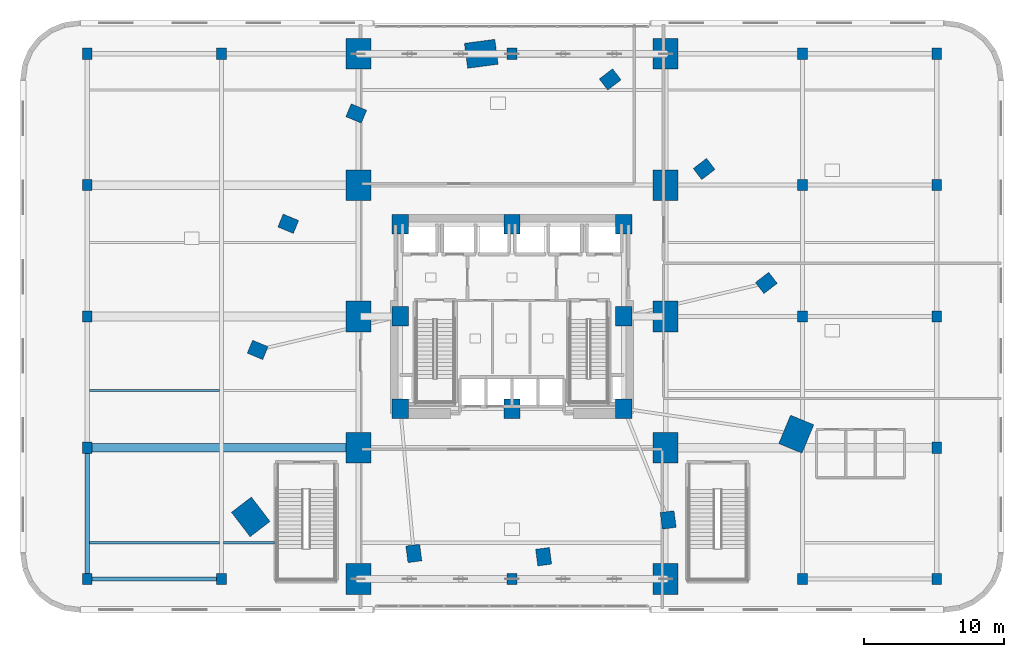
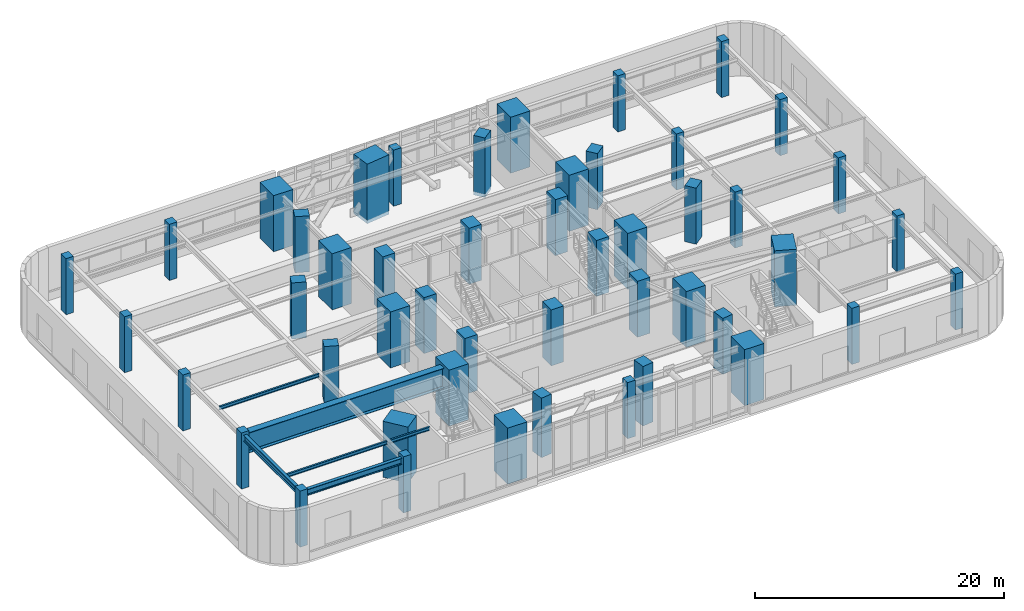
# One storey, part 1 of 19: 48 columns, 6 beams.
"""IFC4 building model written with IfcOpenShell, lengths in metres."""

from ifc_helpers import new_model, si_unit, direction, frame, origin, origin_2d, place, context, subcontext, project, spatial, rectangle, i_section, extrude, material, material_profile, profile_set, type_object, element, save


model = new_model("IFC4")

# Units and contexts
model_context = context("Model", 3, precision=1e-05, world=origin(), true_north=direction((0.0, 1.0)))
body_context = subcontext(model_context, "Body", "Model", "MODEL_VIEW")
ifc_project = project(units=[si_unit("LENGTHUNIT", "METRE"), si_unit("AREAUNIT", "SQUARE_METRE"), si_unit("VOLUMEUNIT", "CUBIC_METRE"), si_unit("PLANEANGLEUNIT", "RADIAN"), si_unit("MASSUNIT", "GRAM", prefix="KILO")], contexts=[model_context])

# Site, building, storey
site_placement = place(None, origin())
site = spatial("IfcSite", under=ifc_project, at=site_placement, CompositionType="ELEMENT")
building_placement = place(site_placement, origin())
building = spatial("IfcBuilding", under=site, at=building_placement, Name="Ndelora Gate Hotel", CompositionType="ELEMENT")
storey_placement = place(building_placement, frame((0.0, 0.0, 16.0)))
storey = spatial("IfcBuildingStorey", under=building, at=storey_placement, Name="L03", CompositionType="ELEMENT", Elevation=16.0)

# Columns
ifc_material_1 = material(Name="Concrete C60/75", Category="concrete")
ifc_material_profile_1 = material_profile(ifc_material_1, rectangle(XDim=1.800048828125, YDim=2.199951171875, at=origin_2d()), Name="RC 2200x1800")
ifc_profile_set_1 = profile_set([ifc_material_profile_1], Name="Concrete C60/75")
column_type_1 = type_object("IfcColumnType", Name="COL-ARCH-PIER", PredefinedType="COLUMN", material=ifc_profile_set_1)
for number, where, z_axis, x_axis, name in (
    (1, (-11.0, -18.800048828125, 0.0), (0.0, 0.0, 1.0), (1.0, 0.0, 0.0), "L03 Podium Column PC-04-01"),
    (2, (-11.0, -9.39990234375, 0.0), (0.0, 0.0, 1.0), (1.0, 0.0, 0.0), "L03 Podium Column PC-04-02"),
    (3, (-11.0, 0.0, 0.0), (0.0, 0.0, 1.0), (1.0, 0.0, 0.0), "L03 Podium Column PC-04-03"),
    (4, (-11.0, 9.39990234375, 0.0), (0.0, 0.0, 1.0), (1.0, 0.0, 0.0), "L03 Podium Column PC-04-04"),
    (5, (-11.0, 18.800048828125, 0.0), (0.0, 0.0, 1.0), (1.0, 0.0, 0.0), "L03 Podium Column PC-04-05"),
    (6, (11.0, -18.800048828125, 0.0), (0.0, 0.0, 1.0), (1.0, 0.0, 0.0), "L03 Podium Column PC-05-01"),
    (7, (11.0, -9.39990234375, 0.0), (0.0, 0.0, 1.0), (1.0, 0.0, 0.0), "L03 Podium Column PC-05-02"),
    (8, (11.0, 0.0, 0.0), (0.0, 0.0, 1.0), (1.0, 0.0, 0.0), "L03 Podium Column PC-05-03"),
    (9, (11.0, 9.39990234375, 0.0), (0.0, 0.0, 1.0), (1.0, 0.0, 0.0), "L03 Podium Column PC-05-04"),
    (10, (11.0, 18.800048828125, 0.0), (0.0, 0.0, 1.0), (1.0, 0.0, 0.0), "L03 Podium Column PC-05-05"),
):
    element("IfcColumn", number, at=place(storey_placement, frame(where, z_axis=z_axis, x_axis=x_axis)), inside=storey, type_object=column_type_1, Name=name, PredefinedType="COLUMN", context=body_context, shape_type="SweptSolid", body=[
        extrude(rectangle(XDim=1.800048828125, YDim=2.199951171875, at=origin_2d()), origin(), (0.0, 0.0, 1.0), 5.5),
    ])
ifc_material_profile_2 = material_profile(ifc_material_1, rectangle(XDim=1.14990234375, YDim=1.39990234375, at=origin_2d()), Name="RC 1400x1150")
ifc_profile_set_2 = profile_set([ifc_material_profile_2], Name="Concrete C60/75")
column_type_2 = type_object("IfcColumnType", Name="COL-CC-LOW", PredefinedType="COLUMN", material=ifc_profile_set_2)
for number, where, z_axis, x_axis, name in (
    (11, (-8.0, -6.60009765625, 0.0), (0.0, 0.0, 1.0), (1.0, 0.0, 0.0), "L03 Core Column CC1"),
    (12, (0.0, -6.60009765625, 0.0), (0.0, 0.0, 1.0), (1.0, 0.0, 0.0), "L03 Core Column CC2"),
    (13, (8.0, -6.60009765625, 0.0), (0.0, 0.0, 1.0), (1.0, 0.0, 0.0), "L03 Core Column CC3"),
    (14, (8.0, 0.0, 0.0), (0.0, 0.0, 1.0), (1.0, 0.0, 0.0), "L03 Core Column CC4"),
    (15, (8.0, 6.60009765625, 0.0), (0.0, 0.0, 1.0), (1.0, 0.0, 0.0), "L03 Core Column CC5"),
    (16, (0.0, 6.60009765625, 0.0), (0.0, 0.0, 1.0), (1.0, 0.0, 0.0), "L03 Core Column CC6"),
    (17, (-8.0, 6.60009765625, 0.0), (0.0, 0.0, 1.0), (1.0, 0.0, 0.0), "L03 Core Column CC7"),
    (18, (-8.0, 0.0, 0.0), (0.0, 0.0, 1.0), (1.0, 0.0, 0.0), "L03 Core Column CC8"),
):
    element("IfcColumn", number, at=place(storey_placement, frame(where, z_axis=z_axis, x_axis=x_axis)), inside=storey, type_object=column_type_2, Name=name, PredefinedType="COLUMN", context=body_context, shape_type="SweptSolid", body=[
        extrude(rectangle(XDim=1.14990234375, YDim=1.39990234375, at=origin_2d()), origin(), (0.0, 0.0, 1.0), 5.5),
    ])
ifc_material_profile_3 = material_profile(ifc_material_1, rectangle(XDim=1.800048828125, YDim=2.199951171875, at=origin_2d()), Name="RC 2200x1800")
ifc_profile_set_3 = profile_set([ifc_material_profile_3], Name="Concrete C60/75")
column_type_3 = type_object("IfcColumnType", Name="COL-MC-Z1", PredefinedType="COLUMN", material=ifc_profile_set_3)
column_1_placement = place(storey_placement, frame((-2.199951171875, 18.800048828125, -0.340087890625), z_axis=(0.0, 0.0, 1.0), x_axis=(-0.13052619222, 0.991444861374, 0.0)))
element("IfcColumn", 19, at=column_1_placement, inside=storey, type_object=column_type_3, Name="L03 Tower Plumb Root Column R1", PredefinedType="COLUMN", context=body_context, shape_type="SweptSolid", body=[
    extrude(rectangle(XDim=1.800048828125, YDim=2.199951171875, at=origin_2d()), origin(), (0.0, 0.0, 1.0), 5.840087890625),
])
for number, where, z_axis, x_axis, name in (
    (20, (-18.701904296875, -14.3505859375, 0.0), (0.0, 0.0, 1.0), (0.793353340291, 0.608761429009, 0.0), "L03 Tower Plumb Root Column R5"),
    (21, (20.35009765625, -8.42919921875, 0.0), (0.0, 0.0, 1.0), (-0.923879532511, 0.382683432365, 0.0), "L03 Tower Plumb Root Column R9"),
):
    element("IfcColumn", number, at=place(storey_placement, frame(where, z_axis=z_axis, x_axis=x_axis)), inside=storey, type_object=column_type_3, Name=name, PredefinedType="COLUMN", context=body_context, shape_type="SweptSolid", body=[
        extrude(rectangle(XDim=1.800048828125, YDim=2.199951171875, at=origin_2d()), origin(), (0.0, 0.0, 1.0), 5.5),
    ])
ifc_material_2 = material(Name="Concrete C50/60", Category="concrete")
ifc_material_profile_4 = material_profile(ifc_material_2, rectangle(XDim=0.699951171875, YDim=0.800048828125, at=origin_2d()), Name="RC 800x700")
ifc_profile_set_4 = profile_set([ifc_material_profile_4], Name="Concrete C50/60")
column_type_4 = type_object("IfcColumnType", Name="COL-POD-UP", PredefinedType="COLUMN", material=ifc_profile_set_4)
for number, where, z_axis, x_axis, name in (
    (22, (-30.39990234375, -18.800048828125, 0.0), (0.0, 0.0, 1.0), (1.0, 0.0, 0.0), "L03 Podium Column PC-02-01"),
    (23, (-30.39990234375, -9.39990234375, 0.0), (0.0, 0.0, 1.0), (1.0, 0.0, 0.0), "L03 Podium Column PC-02-02"),
    (24, (-30.39990234375, 0.0, 0.0), (0.0, 0.0, 1.0), (1.0, 0.0, 0.0), "L03 Podium Column PC-02-03"),
    (25, (-30.39990234375, 9.39990234375, 0.0), (0.0, 0.0, 1.0), (1.0, 0.0, 0.0), "L03 Podium Column PC-02-04"),
    (26, (-30.39990234375, 18.800048828125, 0.0), (0.0, 0.0, 1.0), (1.0, 0.0, 0.0), "L03 Podium Column PC-02-05"),
    (27, (-20.800048828125, -18.800048828125, 0.0), (0.0, 0.0, 1.0), (1.0, 0.0, 0.0), "L03 Podium Column PC-03-01"),
    (28, (-20.800048828125, 18.800048828125, 0.0), (0.0, 0.0, 1.0), (1.0, 0.0, 0.0), "L03 Podium Column PC-03-05"),
    (29, (20.800048828125, -18.800048828125, 0.0), (0.0, 0.0, 1.0), (1.0, 0.0, 0.0), "L03 Podium Column PC-06-01"),
    (30, (20.800048828125, 0.0, 0.0), (0.0, 0.0, 1.0), (1.0, 0.0, 0.0), "L03 Podium Column PC-06-03"),
    (31, (20.800048828125, 9.39990234375, 0.0), (0.0, 0.0, 1.0), (1.0, 0.0, 0.0), "L03 Podium Column PC-06-04"),
    (32, (20.800048828125, 18.800048828125, 0.0), (0.0, 0.0, 1.0), (1.0, 0.0, 0.0), "L03 Podium Column PC-06-05"),
    (33, (30.39990234375, -18.800048828125, 0.0), (0.0, 0.0, 1.0), (1.0, 0.0, 0.0), "L03 Podium Column PC-07-01"),
    (34, (30.39990234375, -9.39990234375, 0.0), (0.0, 0.0, 1.0), (1.0, 0.0, 0.0), "L03 Podium Column PC-07-02"),
    (35, (30.39990234375, 0.0, 0.0), (0.0, 0.0, 1.0), (1.0, 0.0, 0.0), "L03 Podium Column PC-07-03"),
    (36, (30.39990234375, 9.39990234375, 0.0), (0.0, 0.0, 1.0), (1.0, 0.0, 0.0), "L03 Podium Column PC-07-04"),
    (37, (30.39990234375, 18.800048828125, 0.0), (0.0, 0.0, 1.0), (1.0, 0.0, 0.0), "L03 Podium Column PC-07-05"),
    (38, (0.0, -18.800048828125, 0.0), (0.0, 0.0, 1.0), (1.0, 0.0, 0.0), "L03 Portal Arch Crown Column S"),
    (39, (0.0, 18.800048828125, 0.0), (0.0, 0.0, 1.0), (1.0, 0.0, 0.0), "L03 Portal Arch Crown Column N"),
):
    element("IfcColumn", number, at=place(storey_placement, frame(where, z_axis=z_axis, x_axis=x_axis)), inside=storey, type_object=column_type_4, Name=name, PredefinedType="COLUMN", context=body_context, shape_type="SweptSolid", body=[
        extrude(rectangle(XDim=0.699951171875, YDim=0.800048828125, at=origin_2d()), origin(), (0.0, 0.0, 1.0), 5.5),
    ])
ifc_material_profile_5 = material_profile(ifc_material_1, rectangle(XDim=1.0, YDim=1.199951171875, at=origin_2d()), Name="RC 1200x1000")
ifc_profile_set_5 = profile_set([ifc_material_profile_5], Name="Concrete C60/75")
column_type_5 = type_object("IfcColumnType", Name="COL-PT-Z1", PredefinedType="COLUMN", material=ifc_profile_set_5)
for number, where, z_axis, x_axis, name in (
    (40, (-11.1484375, 14.529052734375, 0.0), (0.0, 0.0, 1.0), (0.382683432365, 0.923879532511, 0.0), "L03 Tower Plumb Root Column R2"),
    (41, (-16.016845703125, 6.634521484375, 0.0), (0.0, 0.0, 1.0), (0.382683432365, 0.923879532511, 0.0), "L03 Tower Plumb Root Column R3"),
    (42, (-18.207275390625, -2.39697265625, 0.0), (0.0, 0.0, 1.0), (0.382683432365, 0.923879532511, 0.0), "L03 Tower Plumb Root Column R4"),
):
    element("IfcColumn", number, at=place(storey_placement, frame(where, z_axis=z_axis, x_axis=x_axis)), inside=storey, type_object=column_type_5, Name=name, PredefinedType="COLUMN", context=body_context, shape_type="SweptSolid", body=[
        extrude(rectangle(XDim=1.0, YDim=1.199951171875, at=origin_2d()), origin(), (0.0, 0.0, 1.0), 5.5),
    ])
for number, where, z_axis, x_axis, name in (
    (43, (-7.027587890625, -16.96630859375, -0.340087890625), (0.0, 0.0, 1.0), (0.991444861374, 0.13052619222, 0.0), "L03 Tower Plumb Root Column R6"),
    (44, (2.2646484375, -17.20166015625, -0.340087890625), (0.0, 0.0, 1.0), (0.991444861374, 0.13052619222, 0.0), "L03 Tower Plumb Root Column R7"),
):
    element("IfcColumn", number, at=place(storey_placement, frame(where, z_axis=z_axis, x_axis=x_axis)), inside=storey, type_object=column_type_5, Name=name, PredefinedType="COLUMN", context=body_context, shape_type="SweptSolid", body=[
        extrude(rectangle(XDim=1.0, YDim=1.199951171875, at=origin_2d()), origin(), (0.0, 0.0, 1.0), 5.840087890625),
    ])
for number, where, z_axis, x_axis, name in (
    (45, (11.179443359375, -14.5693359375, 0.0), (0.0, 0.0, 1.0), (0.991444861374, 0.13052619222, 0.0), "L03 Tower Plumb Root Column R8"),
    (46, (18.207275390625, 2.39697265625, 0.0), (0.0, 0.0, 1.0), (-0.608761429009, 0.793353340291, 0.0), "L03 Tower Plumb Root Column R10"),
    (47, (13.75390625, 10.5537109375, 0.0), (0.0, 0.0, 1.0), (-0.608761429009, 0.793353340291, 0.0), "L03 Tower Plumb Root Column R11"),
):
    element("IfcColumn", number, at=place(storey_placement, frame(where, z_axis=z_axis, x_axis=x_axis)), inside=storey, type_object=column_type_5, Name=name, PredefinedType="COLUMN", context=body_context, shape_type="SweptSolid", body=[
        extrude(rectangle(XDim=1.0, YDim=1.199951171875, at=origin_2d()), origin(), (0.0, 0.0, 1.0), 5.5),
    ])
column_2_placement = place(storey_placement, frame((7.027587890625, 16.96630859375, -0.340087890625), z_axis=(0.0, 0.0, 1.0), x_axis=(-0.608761429009, 0.793353340291, 0.0)))
element("IfcColumn", 48, at=column_2_placement, inside=storey, type_object=column_type_5, Name="L03 Tower Plumb Root Column R12", PredefinedType="COLUMN", context=body_context, shape_type="SweptSolid", body=[
    extrude(rectangle(XDim=1.0, YDim=1.199951171875, at=origin_2d()), origin(), (0.0, 0.0, 1.0), 5.840087890625),
])

# Beams
ifc_material_3 = material(Name="Steel S355", Category="steel")
ifc_material_profile_6 = material_profile(ifc_material_3, i_section(OverallWidth=0.159912109375, OverallDepth=0.330078125, WebThickness=0.007568359375, FlangeThickness=0.011474609375, FilletRadius=0.01806640625, at=origin_2d()), Name="IPE 330")
ifc_profile_set_6 = profile_set([ifc_material_profile_6], Name="Steel S355")
beam_type_1 = type_object("IfcBeamType", Name="BM-JST-330", PredefinedType="JOIST", material=ifc_profile_set_6)
beam_1_placement = place(storey_placement, frame((-30.25, -16.199951171875, 5.054931640625), z_axis=(1.0, 0.0, 0.0), x_axis=(0.0, 1.0, 0.0)))
element("IfcBeam", 49, at=beam_1_placement, inside=storey, type_object=beam_type_1, Name="L03 Podium Composite Secondary Joist 1", PredefinedType="JOIST", context=body_context, shape_type="SweptSolid", body=[
    extrude(i_section(OverallWidth=0.159912109375, OverallDepth=0.330078125, WebThickness=0.007568359375, FlangeThickness=0.011474609375, FilletRadius=0.01806640625, at=origin_2d()), origin(), (0.0, 0.0, 1.0), 9.300048828125),
])
beam_2_placement = place(storey_placement, frame((-20.64990234375, -16.199951171875, 5.054931640625), z_axis=(1.0, 0.0, 0.0), x_axis=(0.0, 1.0, 0.0)))
element("IfcBeam", 50, at=beam_2_placement, inside=storey, type_object=beam_type_1, Name="L03 Podium Composite Secondary Joist 2", PredefinedType="JOIST", context=body_context, shape_type="SweptSolid", body=[
    extrude(i_section(OverallWidth=0.159912109375, OverallDepth=0.330078125, WebThickness=0.007568359375, FlangeThickness=0.011474609375, FilletRadius=0.01806640625, at=origin_2d()), origin(), (0.0, 0.0, 1.0), 3.659912109375),
])
beam_3_placement = place(storey_placement, frame((-30.25, -5.300048828125, 5.054931640625), z_axis=(1.0, 0.0, 0.0), x_axis=(0.0, 1.0, 0.0)))
element("IfcBeam", 51, at=beam_3_placement, inside=storey, type_object=beam_type_1, Name="L03 Podium Composite Secondary Joist 1", PredefinedType="JOIST", context=body_context, shape_type="SweptSolid", body=[
    extrude(i_section(OverallWidth=0.159912109375, OverallDepth=0.330078125, WebThickness=0.007568359375, FlangeThickness=0.011474609375, FilletRadius=0.01806640625, at=origin_2d()), origin(), (0.0, 0.0, 1.0), 9.300048828125),
])
ifc_material_profile_7 = material_profile(ifc_material_3, i_section(OverallWidth=0.300048828125, OverallDepth=0.60009765625, WebThickness=0.015380859375, FlangeThickness=0.030029296875, FilletRadius=0.027099609375, at=origin_2d()), Name="HEB 600")
ifc_profile_set_7 = profile_set([ifc_material_profile_7], Name="Steel S355")
beam_type_2 = type_object("IfcBeamType", Name="BM-POD-600", PredefinedType="BEAM", material=ifc_profile_set_7)
beam_4_placement = place(storey_placement, frame((-30.39990234375, -18.800048828125, 4.919921875), z_axis=(0.0, 1.0, 0.0), x_axis=(-1.0, 0.0, 0.0)))
element("IfcBeam", 52, at=beam_4_placement, inside=storey, type_object=beam_type_2, Name="L03 Podium Longitudinal Girder X=-30.4", PredefinedType="BEAM", context=body_context, shape_type="SweptSolid", body=[
    extrude(i_section(OverallWidth=0.300048828125, OverallDepth=0.60009765625, WebThickness=0.015380859375, FlangeThickness=0.030029296875, FilletRadius=0.027099609375, at=origin_2d()), origin(), (0.0, 0.0, 1.0), 9.400146484375),
])
beam_5_placement = place(storey_placement, frame((-30.39990234375, -18.800048828125, 4.919921875), z_axis=(1.0, 0.0, 0.0), x_axis=(0.0, 1.0, 0.0)))
element("IfcBeam", 53, at=beam_5_placement, inside=storey, type_object=beam_type_2, Name="L03 Podium Transverse Girder Y=-18.8", PredefinedType="BEAM", context=body_context, shape_type="SweptSolid", body=[
    extrude(i_section(OverallWidth=0.300048828125, OverallDepth=0.60009765625, WebThickness=0.015380859375, FlangeThickness=0.030029296875, FilletRadius=0.027099609375, at=origin_2d()), origin(), (0.0, 0.0, 1.0), 9.599853515625),
])
ifc_material_4 = material(Name="Steel S460", Category="steel")
ifc_material_profile_8 = material_profile(ifc_material_4, i_section(OverallWidth=0.6201171875, OverallDepth=2.0, WebThickness=0.028076171875, FlangeThickness=0.0400390625, FilletRadius=0.02392578125, at=origin_2d()), Name="PG 2000x620x40")
ifc_profile_set_8 = profile_set([ifc_material_profile_8], Name="Steel S460")
beam_type_3 = type_object("IfcBeamType", Name="BM-TR-2000", PredefinedType="BEAM", material=ifc_profile_set_8)
beam_6_placement = place(storey_placement, frame((-30.39990234375, -9.39990234375, 4.219970703125), z_axis=(1.0, 0.0, 0.0), x_axis=(0.0, 1.0, 0.0)))
element("IfcBeam", 54, at=beam_6_placement, inside=storey, type_object=beam_type_3, Name="L03 Podium Transverse Girder Y=-9.4", PredefinedType="BEAM", context=body_context, shape_type="SweptSolid", body=[
    extrude(i_section(OverallWidth=0.6201171875, OverallDepth=2.0, WebThickness=0.028076171875, FlangeThickness=0.0400390625, FilletRadius=0.02392578125, at=origin_2d()), origin(), (0.0, 0.0, 1.0), 19.39990234375),
])

save(model, "model.ifc")
